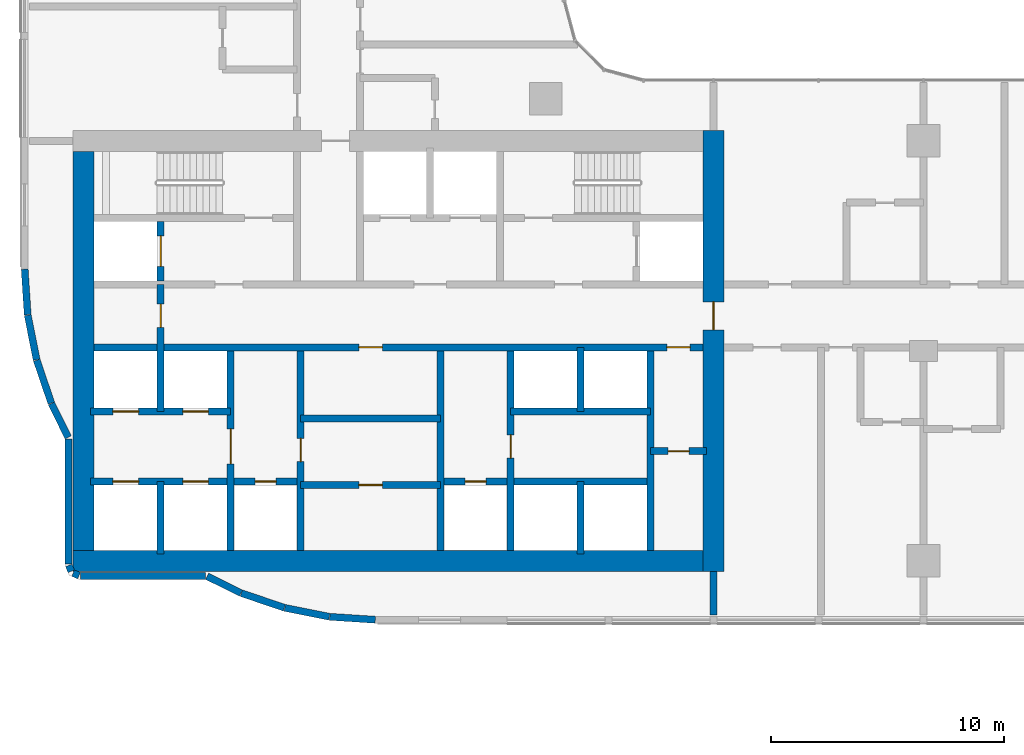
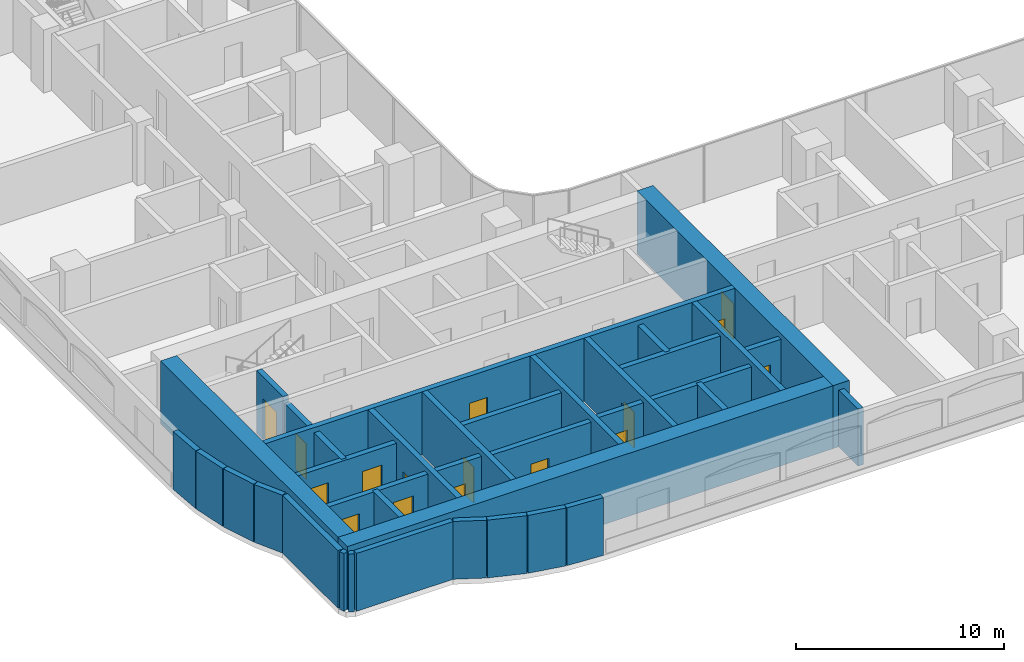
# One storey, part 17 of 34: 34 walls, 16 doors, 16 openings.
"""IFC4 building model written with IfcOpenShell, lengths in metres."""

from ifc_helpers import new_model, si_unit, direction, frame, frame_2d, origin, place, context, subcontext, project, spatial, rectangle, extrude, material, layer, layer_set, type_object, element, fill, save


model = new_model("IFC4")

# Units and contexts
model_context = context("Model", 3, precision=1e-05, world=origin(), true_north=direction((0.0, 1.0)))
body_context = subcontext(model_context, "Body", "Model", "MODEL_VIEW")
ifc_project = project(units=[si_unit("LENGTHUNIT", "METRE"), si_unit("AREAUNIT", "SQUARE_METRE"), si_unit("VOLUMEUNIT", "CUBIC_METRE"), si_unit("PLANEANGLEUNIT", "RADIAN"), si_unit("MASSUNIT", "GRAM", prefix="KILO")], contexts=[model_context])

# Site, building, storey
site_placement = place(None, origin())
site = spatial("IfcSite", under=ifc_project, at=site_placement, CompositionType="ELEMENT")
building_placement = place(site_placement, origin())
building = spatial("IfcBuilding", under=site, at=building_placement, Name="Ogive Portal Towers", CompositionType="ELEMENT")
storey_placement = place(building_placement, frame((0.0, 0.0, 66.800048828125)))
storey = spatial("IfcBuildingStorey", under=building, at=storey_placement, Name="L15", CompositionType="ELEMENT", Elevation=66.800048828125)

# Wall, opening, door
ifc_material_1 = material(Name="Concrete C60/75", Category="concrete")
ifc_layer_1 = layer(ifc_material_1, 0.300048828125)
ifc_layer_set_1 = layer_set([ifc_layer_1], Name="CORE WALL 300 C60")
wall_type_1 = type_object("IfcWallType", Name="CORE WALL 300 C60", PredefinedType="SHEAR", material=ifc_layer_set_1)
wall_1_placement = place(storey_placement, frame((37.800048828125, 21.949951171875, 0.0), z_axis=(0.0, 0.0, 1.0), x_axis=(0.0, 1.0, 0.0)))
wall_1 = element("IfcWall", 1, at=wall_1_placement, inside=storey, type_object=wall_type_1, Name="Core wall X1 L15", PredefinedType="SHEAR", context=body_context, shape_type="SweptSolid", body=[
    extrude(rectangle(XDim=8.550048828125, YDim=0.300048828125, at=frame_2d((4.27490234375, 0.0))), origin(), (0.0, 0.0, 1.0), 3.699951171875),
])
opening_1_placement = place(wall_1_placement, frame((3.699951171875, 0.0, 0.0)))
opening_1 = element("IfcOpeningElement", 2, at=opening_1_placement, cuts=wall_1, Name="Opening D04-001", PredefinedType="OPENING", context=body_context, shape_type="SweptSolid", body=[
    extrude(rectangle(XDim=1.5, YDim=2.10009765625, at=frame_2d((0.75, 1.050048828125))), frame((0.0, 0.16015625, 0.0), z_axis=(0.0, -1.0, 0.0), x_axis=(1.0, 0.0, 0.0)), (0.0, 0.0, 1.0), 0.320068359375),
])
ifc_material_2 = material(Name="Steel fire door", Category="steel")
door_type_1 = type_object("IfcDoorType", Name="DT-SWING-1500x2100-FD90S", OperationType="SINGLE_SWING_LEFT", PredefinedType="DOOR", material=ifc_material_2)
door_1_placement = place(opening_1_placement, origin())
door_1 = element("IfcDoor", 3, at=door_1_placement, inside=storey, type_object=door_type_1, Name="Door D04-001", OperationType="SINGLE_SWING_LEFT", OverallHeight=2.10009765625, OverallWidth=1.5, PredefinedType="DOOR", context=body_context, shape_type="SweptSolid", body=[
    extrude(rectangle(XDim=1.5, YDim=2.10009765625, at=frame_2d((0.75, 1.050048828125))), frame((0.0, 0.02490234375, 0.0), z_axis=(0.0, -1.0, 0.0), x_axis=(1.0, 0.0, 0.0)), (0.0, 0.0, 1.0), 0.050048828125),
])
fill(opening_1, door_1)

wall_2_placement = place(storey_placement, frame((40.800048828125, 21.949951171875, 0.0), z_axis=(0.0, 0.0, 1.0), x_axis=(0.0, 1.0, 0.0)))
wall_2 = element("IfcWall", 4, at=wall_2_placement, inside=storey, type_object=wall_type_1, Name="Core wall X2 L15", PredefinedType="SHEAR", context=body_context, shape_type="SweptSolid", body=[
    extrude(rectangle(XDim=8.550048828125, YDim=0.300048828125, at=frame_2d((4.27490234375, 0.0))), origin(), (0.0, 0.0, 1.0), 3.699951171875),
])
opening_2_placement = place(wall_2_placement, frame((3.800048828125, 0.0, 0.0)))
opening_2 = element("IfcOpeningElement", 5, at=opening_2_placement, cuts=wall_2, Name="Opening D04-022", PredefinedType="OPENING", context=body_context, shape_type="SweptSolid", body=[
    extrude(rectangle(XDim=1.0, YDim=2.10009765625, at=frame_2d((0.5, 1.050048828125))), frame((0.0, 0.16015625, 0.0), z_axis=(0.0, -1.0, 0.0), x_axis=(1.0, 0.0, 0.0)), (0.0, 0.0, 1.0), 0.320068359375),
])
door_type_2 = type_object("IfcDoorType", Name="DT-SWING-1000x2100-FD90S", OperationType="SINGLE_SWING_LEFT", PredefinedType="DOOR", material=ifc_material_2)
door_2_placement = place(opening_2_placement, origin())
door_2 = element("IfcDoor", 6, at=door_2_placement, inside=storey, type_object=door_type_2, Name="Door D04-022", OperationType="SINGLE_SWING_RIGHT", OverallHeight=2.10009765625, OverallWidth=1.0, PredefinedType="DOOR", context=body_context, shape_type="SweptSolid", body=[
    extrude(rectangle(XDim=1.0, YDim=2.10009765625, at=frame_2d((0.5, 1.050048828125))), frame((0.0, 0.02490234375, 0.0), z_axis=(0.0, -1.0, 0.0), x_axis=(1.0, 0.0, 0.0)), (0.0, 0.0, 1.0), 0.050048828125),
])
fill(opening_2, door_2)

# Wall
wall_3_placement = place(storey_placement, frame((46.800048828125, 21.949951171875, 0.0), z_axis=(0.0, 0.0, 1.0), x_axis=(0.0, 1.0, 0.0)))
element("IfcWall", 7, at=wall_3_placement, inside=storey, type_object=wall_type_1, Name="Core wall X3 L15", PredefinedType="SHEAR", context=body_context, shape_type="SweptSolid", body=[
    extrude(rectangle(XDim=8.550048828125, YDim=0.300048828125, at=frame_2d((4.27490234375, 0.0))), origin(), (0.0, 0.0, 1.0), 3.699951171875),
])

# Wall, opening, door
wall_4_placement = place(storey_placement, frame((49.800048828125, 21.949951171875, 0.0), z_axis=(0.0, 0.0, 1.0), x_axis=(0.0, 1.0, 0.0)))
wall_4 = element("IfcWall", 8, at=wall_4_placement, inside=storey, type_object=wall_type_1, Name="Core wall X4 L15", PredefinedType="SHEAR", context=body_context, shape_type="SweptSolid", body=[
    extrude(rectangle(XDim=8.550048828125, YDim=0.300048828125, at=frame_2d((4.27490234375, 0.0))), origin(), (0.0, 0.0, 1.0), 3.699951171875),
])
opening_3_placement = place(wall_4_placement, frame((3.949951171875, 0.0, 0.0)))
opening_3 = element("IfcOpeningElement", 9, at=opening_3_placement, cuts=wall_4, Name="Opening D04-024", PredefinedType="OPENING", context=body_context, shape_type="SweptSolid", body=[
    extrude(rectangle(XDim=1.0, YDim=2.10009765625, at=frame_2d((0.5, 1.050048828125))), frame((0.0, 0.16015625, 0.0), z_axis=(0.0, -1.0, 0.0), x_axis=(1.0, 0.0, 0.0)), (0.0, 0.0, 1.0), 0.320068359375),
])
door_3_placement = place(opening_3_placement, origin())
door_3 = element("IfcDoor", 10, at=door_3_placement, inside=storey, type_object=door_type_2, Name="Door D04-024", OperationType="SINGLE_SWING_RIGHT", OverallHeight=2.10009765625, OverallWidth=1.0, PredefinedType="DOOR", context=body_context, shape_type="SweptSolid", body=[
    extrude(rectangle(XDim=1.0, YDim=2.10009765625, at=frame_2d((0.5, 1.050048828125))), frame((0.0, 0.02490234375, 0.0), z_axis=(0.0, -1.0, 0.0), x_axis=(1.0, 0.0, 0.0)), (0.0, 0.0, 1.0), 0.050048828125),
])
fill(opening_3, door_3)

# Wall
wall_5_placement = place(storey_placement, frame((55.800048828125, 21.949951171875, 0.0), z_axis=(0.0, 0.0, 1.0), x_axis=(0.0, 1.0, 0.0)))
element("IfcWall", 11, at=wall_5_placement, inside=storey, type_object=wall_type_1, Name="Core wall X5 L15", PredefinedType="SHEAR", context=body_context, shape_type="SweptSolid", body=[
    extrude(rectangle(XDim=8.550048828125, YDim=0.300048828125, at=frame_2d((4.27490234375, 0.0))), origin(), (0.0, 0.0, 1.0), 3.699951171875),
])

# Wall, openings, doors
wall_6_placement = place(storey_placement, frame((31.949951171875, 30.64990234375, 0.0), z_axis=(0.0, 0.0, 1.0), x_axis=(1.0, 0.0, 0.0)))
wall_6 = element("IfcWall", 12, at=wall_6_placement, inside=storey, type_object=wall_type_1, Name="Core wall Y1 L15", PredefinedType="SHEAR", context=body_context, shape_type="SweptSolid", body=[
    extrude(rectangle(XDim=26.10009765625, YDim=0.300048828125, at=frame_2d((13.050048828125, 0.0))), origin(), (0.0, 0.0, 1.0), 3.699951171875),
])
opening_4_placement = place(wall_6_placement, frame((24.550048828125, 0.0, 0.0)))
opening_4 = element("IfcOpeningElement", 13, at=opening_4_placement, cuts=wall_6, Name="Opening D04-009", PredefinedType="OPENING", context=body_context, shape_type="SweptSolid", body=[
    extrude(rectangle(XDim=1.0, YDim=2.10009765625, at=frame_2d((0.5, 1.050048828125))), frame((0.0, 0.16015625, 0.0), z_axis=(0.0, -1.0, 0.0), x_axis=(1.0, 0.0, 0.0)), (0.0, 0.0, 1.0), 0.320068359375),
])
opening_5_placement = place(wall_6_placement, frame((11.35009765625, 0.0, 0.0)))
opening_5 = element("IfcOpeningElement", 14, at=opening_5_placement, cuts=wall_6, Name="Opening D04-021", PredefinedType="OPENING", context=body_context, shape_type="SweptSolid", body=[
    extrude(rectangle(XDim=1.0, YDim=2.10009765625, at=frame_2d((0.5, 1.050048828125))), frame((0.0, 0.16015625, 0.0), z_axis=(0.0, -1.0, 0.0), x_axis=(1.0, 0.0, 0.0)), (0.0, 0.0, 1.0), 0.320068359375),
])
door_4_placement = place(opening_4_placement, origin())
door_4 = element("IfcDoor", 15, at=door_4_placement, inside=storey, type_object=door_type_2, Name="Door D04-009", OperationType="SINGLE_SWING_LEFT", OverallHeight=2.10009765625, OverallWidth=1.0, PredefinedType="DOOR", context=body_context, shape_type="SweptSolid", body=[
    extrude(rectangle(XDim=1.0, YDim=2.10009765625, at=frame_2d((0.5, 1.050048828125))), frame((0.0, 0.02490234375, 0.0), z_axis=(0.0, -1.0, 0.0), x_axis=(1.0, 0.0, 0.0)), (0.0, 0.0, 1.0), 0.050048828125),
])
fill(opening_4, door_4)
door_5_placement = place(opening_5_placement, origin())
door_5 = element("IfcDoor", 16, at=door_5_placement, inside=storey, type_object=door_type_2, Name="Door D04-021", OperationType="SINGLE_SWING_LEFT", OverallHeight=2.10009765625, OverallWidth=1.0, PredefinedType="DOOR", context=body_context, shape_type="SweptSolid", body=[
    extrude(rectangle(XDim=1.0, YDim=2.10009765625, at=frame_2d((0.5, 1.050048828125))), frame((0.0, 0.02490234375, 0.0), z_axis=(0.0, -1.0, 0.0), x_axis=(1.0, 0.0, 0.0)), (0.0, 0.0, 1.0), 0.050048828125),
])
fill(opening_5, door_5)

# Wall, opening, door
wall_7_placement = place(storey_placement, frame((34.800048828125, 33.5, 0.0), z_axis=(0.0, 0.0, 1.0), x_axis=(0.0, 1.0, 0.0)))
wall_7 = element("IfcWall", 17, at=wall_7_placement, inside=storey, type_object=wall_type_1, Name="Core wall X8 L15", PredefinedType="SHEAR", context=body_context, shape_type="SweptSolid", body=[
    extrude(rectangle(XDim=2.550048828125, YDim=0.300048828125, at=frame_2d((1.27490234375, 0.0))), origin(), (0.0, 0.0, 1.0), 3.699951171875),
])
opening_6_placement = place(wall_7_placement, frame((0.625, 0.0, 0.0)))
opening_6 = element("IfcOpeningElement", 18, at=opening_6_placement, cuts=wall_7, Name="Opening D04-019", PredefinedType="OPENING", context=body_context, shape_type="SweptSolid", body=[
    extrude(rectangle(XDim=1.300048828125, YDim=2.39990234375, at=frame_2d((0.64990234375, 1.199951171875))), frame((0.0, 0.16015625, 0.0), z_axis=(0.0, -1.0, 0.0), x_axis=(1.0, 0.0, 0.0)), (0.0, 0.0, 1.0), 0.320068359375),
])
ifc_material_3 = material(Name="Stainless steel", Category="steel")
door_type_3 = type_object("IfcDoorType", Name="DT-LD-1300x2400", OperationType="SLIDING_TO_LEFT", PredefinedType="DOOR", material=ifc_material_3)
door_6_placement = place(opening_6_placement, origin())
door_6 = element("IfcDoor", 19, at=door_6_placement, inside=storey, type_object=door_type_3, Name="Door D04-019", OperationType="SLIDING_TO_LEFT", OverallHeight=2.39990234375, OverallWidth=1.300048828125, PredefinedType="DOOR", context=body_context, shape_type="SweptSolid", body=[
    extrude(rectangle(XDim=1.300048828125, YDim=2.39990234375, at=frame_2d((0.64990234375, 1.199951171875))), frame((0.0, 0.02490234375, 0.0), z_axis=(0.0, -1.0, 0.0), x_axis=(1.0, 0.0, 0.0)), (0.0, 0.0, 1.0), 0.050048828125),
])
fill(opening_6, door_6)

# Walls
ifc_layer_2 = layer(ifc_material_1, 0.89990234375)
ifc_layer_set_2 = layer_set([ifc_layer_2], Name="CORE WALL 900 C60")
wall_type_2 = type_object("IfcWallType", Name="CORE WALL 900 C60", PredefinedType="SHEAR", material=ifc_layer_set_2)
wall_8_placement = place(storey_placement, frame((31.5, 21.949951171875, 0.0), z_axis=(0.0, 0.0, 1.0), x_axis=(0.0, 1.0, 0.0)))
element("IfcWall", 20, at=wall_8_placement, inside=storey, type_object=wall_type_2, Name="Core wall W L15", PredefinedType="SHEAR", context=body_context, shape_type="SweptSolid", body=[
    extrude(rectangle(XDim=17.10009765625, YDim=0.89990234375, at=frame_2d((8.550048828125, 0.0))), origin(), (0.0, 0.0, 1.0), 3.699951171875),
])
wall_9_placement = place(storey_placement, frame((31.050048828125, 21.5, 0.0), z_axis=(0.0, 0.0, 1.0), x_axis=(1.0, 0.0, 0.0)))
element("IfcWall", 21, at=wall_9_placement, inside=storey, type_object=wall_type_2, Name="Core wall S L15", PredefinedType="SHEAR", context=body_context, shape_type="SweptSolid", body=[
    extrude(rectangle(XDim=27.0, YDim=0.89990234375, at=frame_2d((13.5, 0.0))), origin(), (0.0, 0.0, 1.0), 3.699951171875),
])

# Wall, opening, door
wall_10_placement = place(storey_placement, frame((58.5, 21.050048828125, 0.0), z_axis=(0.0, 0.0, 1.0), x_axis=(0.0, 1.0, 0.0)))
wall_10 = element("IfcWall", 22, at=wall_10_placement, inside=storey, type_object=wall_type_2, Name="Core wall E L15", PredefinedType="SHEAR", context=body_context, shape_type="SweptSolid", body=[
    extrude(rectangle(XDim=18.89990234375, YDim=0.89990234375, at=frame_2d((9.449951171875, 0.0))), origin(), (0.0, 0.0, 1.0), 3.699951171875),
])
opening_7_placement = place(wall_10_placement, frame((10.35009765625, 0.0, 0.0)))
opening_7 = element("IfcOpeningElement", 23, at=opening_7_placement, cuts=wall_10, Name="Opening D04-011", PredefinedType="OPENING", context=body_context, shape_type="SweptSolid", body=[
    extrude(rectangle(XDim=1.199951171875, YDim=2.10009765625, at=frame_2d((0.60009765625, 1.050048828125))), frame((0.0, 0.4599609375, 0.0), z_axis=(0.0, -1.0, 0.0), x_axis=(1.0, 0.0, 0.0)), (0.0, 0.0, 1.0), 0.919921875),
])
door_type_4 = type_object("IfcDoorType", Name="DT-SWING-1200x2100-FD90S", OperationType="SINGLE_SWING_LEFT", PredefinedType="DOOR", material=ifc_material_2)
door_7_placement = place(opening_7_placement, origin())
door_7 = element("IfcDoor", 24, at=door_7_placement, inside=storey, type_object=door_type_4, Name="Door D04-011", OperationType="SINGLE_SWING_LEFT", OverallHeight=2.10009765625, OverallWidth=1.199951171875, PredefinedType="DOOR", context=body_context, shape_type="SweptSolid", body=[
    extrude(rectangle(XDim=1.199951171875, YDim=2.10009765625, at=frame_2d((0.60009765625, 1.050048828125))), frame((0.0, 0.02490234375, 0.0), z_axis=(0.0, -1.0, 0.0), x_axis=(1.0, 0.0, 0.0)), (0.0, 0.0, 1.0), 0.050048828125),
])
fill(opening_7, door_7)

# Walls
ifc_material_4 = material(Name="Limestone cladding on lightweight block wall", Category="masonry")
ifc_layer_3 = layer(ifc_material_4, 0.300048828125)
ifc_layer_set_3 = layer_set([ifc_layer_3], Name="EXTERNAL WALL 300 STONE")
wall_type_3 = type_object("IfcWallType", Name="EXTERNAL WALL 300 STONE", PredefinedType="SOLIDWALL", material=ifc_layer_set_3)
wall_11_placement = place(storey_placement, frame((30.85009765625, 26.7216796875, 0.0), z_axis=(0.0, 0.0, 1.0), x_axis=(0.0, -1.0, 0.0)))
element("IfcWall", 25, at=wall_11_placement, inside=storey, type_object=wall_type_3, Name="A:L15:f00:r0:wall", PredefinedType="SOLIDWALL", context=body_context, shape_type="SweptSolid", body=[
    extrude(rectangle(XDim=5.362060546875, YDim=0.300048828125, at=frame_2d((2.68115234375, 0.0))), origin(), (0.0, 0.0, 1.0), 3.39990234375),
])
for number, where, z_axis, x_axis, name in (
    (26, (30.861328125, 21.30224609375, 0.0), (0.0, 0.0, 1.0), (0.38297812142, -0.923757413239, 0.0), "A:L15:f01:r0:wall"),
    (27, (31.0478515625, 20.966796875, 0.0), (0.0, 0.0, 1.0), (0.923757413239, -0.38297812142, 0.0), "A:L15:f02:r0:wall"),
):
    element("IfcWall", number, at=place(storey_placement, frame(where, z_axis=z_axis, x_axis=x_axis)), inside=storey, type_object=wall_type_3, Name=name, PredefinedType="SOLIDWALL", context=body_context, shape_type="SweptSolid", body=[
        extrude(rectangle(XDim=0.275390625, YDim=0.300048828125, at=frame_2d((0.1376953125, 0.0))), origin(), (0.0, 0.0, 1.0), 3.39990234375),
    ])
wall_12_placement = place(storey_placement, frame((31.359619140625, 20.85009765625, 0.0), z_axis=(0.0, 0.0, 1.0), x_axis=(1.0, 0.0, 0.0)))
element("IfcWall", 28, at=wall_12_placement, inside=storey, type_object=wall_type_3, Name="A:L15:f03:r0:wall", PredefinedType="SOLIDWALL", context=body_context, shape_type="SweptSolid", body=[
    extrude(rectangle(XDim=5.362060546875, YDim=0.300048828125, at=frame_2d((2.68115234375, 0.0))), origin(), (0.0, 0.0, 1.0), 3.39990234375),
])
wall_13_placement = place(storey_placement, frame((36.7880859375, 20.83447265625, 0.0), z_axis=(0.0, 0.0, 1.0), x_axis=(0.896857753975, -0.442319080682, 0.0)))
element("IfcWall", 29, at=wall_13_placement, inside=storey, type_object=wall_type_3, Name="A:L15:f04:r0:wall", PredefinedType="SOLIDWALL", context=body_context, shape_type="SweptSolid", body=[
    extrude(rectangle(XDim=1.618408203125, YDim=0.300048828125, at=frame_2d((0.80908203125, 0.0))), origin(), (0.0, 0.0, 1.0), 3.39990234375),
])
for number, where, z_axis, x_axis, name in (
    (30, (38.2578125, 20.111328125, 0.0), (0.0, 0.0, 1.0), (0.946912572858, -0.32149118085, 0.0), "A:L15:f05:r0:wall"),
    (31, (40.11962890625, 19.48046875, 0.0), (0.0, 0.0, 1.0), (0.980792379364, -0.195054629737, 0.0), "A:L15:f06:r0:wall"),
):
    element("IfcWall", number, at=place(storey_placement, frame(where, z_axis=z_axis, x_axis=x_axis)), inside=storey, type_object=wall_type_3, Name=name, PredefinedType="SOLIDWALL", context=body_context, shape_type="SweptSolid", body=[
        extrude(rectangle(XDim=1.9462890625, YDim=0.300048828125, at=frame_2d((0.97314453125, 0.0))), origin(), (0.0, 0.0, 1.0), 3.39990234375),
    ])
for number, where, z_axis, x_axis, name in (
    (32, (42.048095703125, 19.09814453125, 0.0), (0.0, 0.0, 1.0), (0.997859086025, -0.065400645538, 0.0), "A:L15:f07:r0:wall"),
    (33, (28.97021484375, 34.0, 0.0), (0.0, 0.0, 1.0), (0.065400645538, -0.997859086025, 0.0), "A:L15:f28:r0:wall"),
):
    element("IfcWall", number, at=place(storey_placement, frame(where, z_axis=z_axis, x_axis=x_axis)), inside=storey, type_object=wall_type_3, Name=name, PredefinedType="SOLIDWALL", context=body_context, shape_type="SweptSolid", body=[
        extrude(rectangle(XDim=1.9560546875, YDim=0.300048828125, at=frame_2d((0.97802734375, 0.0))), origin(), (0.0, 0.0, 1.0), 3.39990234375),
    ])
for number, where, z_axis, x_axis, name in (
    (34, (29.100830078125, 32.028564453125, 0.0), (0.0, 0.0, 1.0), (0.195054629737, -0.980792379364, 0.0), "A:L15:f29:r0:wall"),
    (35, (29.485595703125, 30.100830078125, 0.0), (0.0, 0.0, 1.0), (0.32149118085, -0.946912572858, 0.0), "A:L15:f30:r0:wall"),
):
    element("IfcWall", number, at=place(storey_placement, frame(where, z_axis=z_axis, x_axis=x_axis)), inside=storey, type_object=wall_type_3, Name=name, PredefinedType="SOLIDWALL", context=body_context, shape_type="SweptSolid", body=[
        extrude(rectangle(XDim=1.9462890625, YDim=0.300048828125, at=frame_2d((0.97314453125, 0.0))), origin(), (0.0, 0.0, 1.0), 3.39990234375),
    ])
wall_14_placement = place(storey_placement, frame((30.11865234375, 28.239501953125, 0.0), z_axis=(0.0, 0.0, 1.0), x_axis=(0.442319080682, -0.896857753975, 0.0)))
element("IfcWall", 36, at=wall_14_placement, inside=storey, type_object=wall_type_3, Name="A:L15:f31:r0:wall", PredefinedType="SOLIDWALL", context=body_context, shape_type="SweptSolid", body=[
    extrude(rectangle(XDim=1.618408203125, YDim=0.300048828125, at=frame_2d((0.80908203125, 0.0))), origin(), (0.0, 0.0, 1.0), 3.39990234375),
])

# Wall, opening, door
ifc_material_5 = material(Name="Gypsum board partition on steel studs", Category="steel")
ifc_layer_4 = layer(ifc_material_5, 0.300048828125)
ifc_layer_set_4 = layer_set([ifc_layer_4], Name="WT-PART-300")
wall_type_4 = type_object("IfcWallType", Name="WT-PART-300", PredefinedType="PARTITIONING", material=ifc_layer_set_4)
wall_15_placement = place(storey_placement, frame((40.800048828125, 24.75, 0.0), z_axis=(0.0, 0.0, 1.0), x_axis=(1.0, 0.0, 0.0)))
wall_15 = element("IfcWall", 37, at=wall_15_placement, inside=storey, type_object=wall_type_4, Name="Wall pw:001:L15", PredefinedType="PARTITIONING", context=body_context, shape_type="SweptSolid", body=[
    extrude(rectangle(XDim=6.0, YDim=0.300048828125, at=frame_2d((3.0, 0.0))), origin(), (0.0, 0.0, 1.0), 3.39990234375),
])
opening_8_placement = place(wall_15_placement, frame((2.5, 0.0, 0.0)))
opening_8 = element("IfcOpeningElement", 38, at=opening_8_placement, cuts=wall_15, Name="Opening D04-023", PredefinedType="OPENING", context=body_context, shape_type="SweptSolid", body=[
    extrude(rectangle(XDim=1.0, YDim=2.10009765625, at=frame_2d((0.5, 1.050048828125))), frame((0.0, 0.16015625, 0.0), z_axis=(0.0, -1.0, 0.0), x_axis=(1.0, 0.0, 0.0)), (0.0, 0.0, 1.0), 0.320068359375),
])
door_type_5 = type_object("IfcDoorType", Name="DT-SWING-1000x2100-FD60S", OperationType="SINGLE_SWING_LEFT", PredefinedType="DOOR", material=ifc_material_2)
door_8_placement = place(opening_8_placement, origin())
door_8 = element("IfcDoor", 39, at=door_8_placement, inside=storey, type_object=door_type_5, Name="Door D04-023", OperationType="SINGLE_SWING_RIGHT", OverallHeight=2.10009765625, OverallWidth=1.0, PredefinedType="DOOR", context=body_context, shape_type="SweptSolid", body=[
    extrude(rectangle(XDim=1.0, YDim=2.10009765625, at=frame_2d((0.5, 1.050048828125))), frame((0.0, 0.02490234375, 0.0), z_axis=(0.0, -1.0, 0.0), x_axis=(1.0, 0.0, 0.0)), (0.0, 0.0, 1.0), 0.050048828125),
])
fill(opening_8, door_8)

wall_16_placement = place(storey_placement, frame((55.800048828125, 26.199951171875, 0.0), z_axis=(0.0, 0.0, 1.0), x_axis=(1.0, 0.0, 0.0)))
wall_16 = element("IfcWall", 40, at=wall_16_placement, inside=storey, type_object=wall_type_4, Name="Wall pw:004:L15", PredefinedType="PARTITIONING", context=body_context, shape_type="SweptSolid", body=[
    extrude(rectangle(XDim=2.39990234375, YDim=0.300048828125, at=frame_2d((1.199951171875, 0.0))), origin(), (0.0, 0.0, 1.0), 3.39990234375),
])
opening_9_placement = place(wall_16_placement, frame((0.75, 0.0, 0.0)))
opening_9 = element("IfcOpeningElement", 41, at=opening_9_placement, cuts=wall_16, Name="Opening D04-010", PredefinedType="OPENING", context=body_context, shape_type="SweptSolid", body=[
    extrude(rectangle(XDim=0.89990234375, YDim=2.10009765625, at=frame_2d((0.449951171875, 1.050048828125))), frame((0.0, 0.16015625, 0.0), z_axis=(0.0, -1.0, 0.0), x_axis=(1.0, 0.0, 0.0)), (0.0, 0.0, 1.0), 0.320068359375),
])
door_type_6 = type_object("IfcDoorType", Name="DT-SWING-900x2100-FD60S", OperationType="SINGLE_SWING_LEFT", PredefinedType="DOOR", material=ifc_material_2)
door_9_placement = place(opening_9_placement, origin())
door_9 = element("IfcDoor", 42, at=door_9_placement, inside=storey, type_object=door_type_6, Name="Door D04-010", OperationType="SINGLE_SWING_RIGHT", OverallHeight=2.10009765625, OverallWidth=0.89990234375, PredefinedType="DOOR", context=body_context, shape_type="SweptSolid", body=[
    extrude(rectangle(XDim=0.89990234375, YDim=2.10009765625, at=frame_2d((0.449951171875, 1.050048828125))), frame((0.0, 0.02490234375, 0.0), z_axis=(0.0, -1.0, 0.0), x_axis=(1.0, 0.0, 0.0)), (0.0, 0.0, 1.0), 0.050048828125),
])
fill(opening_9, door_9)

# Walls
wall_17_placement = place(storey_placement, frame((40.800048828125, 27.60009765625, 0.0), z_axis=(0.0, 0.0, 1.0), x_axis=(1.0, 0.0, 0.0)))
element("IfcWall", 43, at=wall_17_placement, inside=storey, type_object=wall_type_4, Name="Wall pw:005:L15", PredefinedType="PARTITIONING", context=body_context, shape_type="SweptSolid", body=[
    extrude(rectangle(XDim=6.0, YDim=0.300048828125, at=frame_2d((3.0, 0.0))), origin(), (0.0, 0.0, 1.0), 3.39990234375),
])
ifc_layer_5 = layer(ifc_material_5, 0.300048828125)
ifc_layer_set_5 = layer_set([ifc_layer_5], Name="WT-PART-300-EI 60")
wall_type_5 = type_object("IfcWallType", Name="WT-PART-300-EI 60", PredefinedType="PARTITIONING", material=ifc_layer_set_5)
wall_18_placement = place(storey_placement, frame((58.5, 19.169921875, 0.0), z_axis=(0.0, 0.0, 1.0), x_axis=(0.0, 1.0, 0.0)))
element("IfcWall", 44, at=wall_18_placement, inside=storey, type_object=wall_type_5, Name="Wall L15:w046", PredefinedType="PARTITIONING", context=body_context, shape_type="SweptSolid", body=[
    extrude(rectangle(XDim=1.860107421875, YDim=0.300048828125, at=frame_2d((0.93017578125, 0.0))), origin(), (0.0, 0.0, 1.0), 3.349853515625),
])

# Wall, openings, doors
ifc_material_6 = material(Name="Concrete C40/50", Category="concrete")
ifc_layer_6 = layer(ifc_material_6, 0.300048828125)
ifc_layer_set_6 = layer_set([ifc_layer_6], Name="WT-SHAFT-300")
wall_type_6 = type_object("IfcWallType", Name="WT-SHAFT-300", PredefinedType="SOLIDWALL", material=ifc_layer_set_6)
wall_19_placement = place(storey_placement, frame((31.800048828125, 24.89990234375, 0.0), z_axis=(0.0, 0.0, 1.0), x_axis=(1.0, 0.0, 0.0)))
wall_19 = element("IfcWall", 45, at=wall_19_placement, inside=storey, type_object=wall_type_6, Name="Wall pw:002:L15", PredefinedType="SOLIDWALL", context=body_context, shape_type="SweptSolid", body=[
    extrude(rectangle(XDim=9.0, YDim=0.300048828125, at=frame_2d((4.5, 0.0))), origin(), (0.0, 0.0, 1.0), 3.39990234375),
])
opening_10_placement = place(wall_19_placement, frame((7.050048828125, 0.0, 0.0)))
opening_10 = element("IfcOpeningElement", 46, at=opening_10_placement, cuts=wall_19, Name="Opening D04-007", PredefinedType="OPENING", context=body_context, shape_type="SweptSolid", body=[
    extrude(rectangle(XDim=0.89990234375, YDim=2.10009765625, at=frame_2d((0.449951171875, 1.050048828125))), frame((0.0, 0.16015625, 0.0), z_axis=(0.0, -1.0, 0.0), x_axis=(1.0, 0.0, 0.0)), (0.0, 0.0, 1.0), 0.320068359375),
])
opening_11_placement = place(wall_19_placement, frame((0.949951171875, 0.0, 0.0)))
opening_11 = element("IfcOpeningElement", 47, at=opening_11_placement, cuts=wall_19, Name="Opening D04-013", PredefinedType="OPENING", context=body_context, shape_type="SweptSolid", body=[
    extrude(rectangle(XDim=1.10009765625, YDim=2.39990234375, at=frame_2d((0.550048828125, 1.199951171875))), frame((0.0, 0.16015625, 0.0), z_axis=(0.0, -1.0, 0.0), x_axis=(1.0, 0.0, 0.0)), (0.0, 0.0, 1.0), 0.320068359375),
])
opening_12_placement = place(wall_19_placement, frame((3.949951171875, 0.0, 0.0)))
opening_12 = element("IfcOpeningElement", 48, at=opening_12_placement, cuts=wall_19, Name="Opening D04-014", PredefinedType="OPENING", context=body_context, shape_type="SweptSolid", body=[
    extrude(rectangle(XDim=1.10009765625, YDim=2.39990234375, at=frame_2d((0.550048828125, 1.199951171875))), frame((0.0, 0.16015625, 0.0), z_axis=(0.0, -1.0, 0.0), x_axis=(1.0, 0.0, 0.0)), (0.0, 0.0, 1.0), 0.320068359375),
])
door_type_7 = type_object("IfcDoorType", Name="DT-LD-1100x2400", OperationType="SLIDING_TO_LEFT", PredefinedType="DOOR", material=ifc_material_3)
door_10_placement = place(opening_11_placement, origin())
door_10 = element("IfcDoor", 49, at=door_10_placement, inside=storey, type_object=door_type_7, Name="Door D04-013", OperationType="SLIDING_TO_LEFT", OverallHeight=2.39990234375, OverallWidth=1.10009765625, PredefinedType="DOOR", context=body_context, shape_type="SweptSolid", body=[
    extrude(rectangle(XDim=1.10009765625, YDim=2.39990234375, at=frame_2d((0.550048828125, 1.199951171875))), frame((0.0, 0.02490234375, 0.0), z_axis=(0.0, -1.0, 0.0), x_axis=(1.0, 0.0, 0.0)), (0.0, 0.0, 1.0), 0.050048828125),
])
fill(opening_11, door_10)
door_11_placement = place(opening_12_placement, origin())
door_11 = element("IfcDoor", 50, at=door_11_placement, inside=storey, type_object=door_type_7, Name="Door D04-014", OperationType="SLIDING_TO_LEFT", OverallHeight=2.39990234375, OverallWidth=1.10009765625, PredefinedType="DOOR", context=body_context, shape_type="SweptSolid", body=[
    extrude(rectangle(XDim=1.10009765625, YDim=2.39990234375, at=frame_2d((0.550048828125, 1.199951171875))), frame((0.0, 0.02490234375, 0.0), z_axis=(0.0, -1.0, 0.0), x_axis=(1.0, 0.0, 0.0)), (0.0, 0.0, 1.0), 0.050048828125),
])
fill(opening_12, door_11)
door_type_8 = type_object("IfcDoorType", Name="DT-SWING-900x2100-FD90S", OperationType="SINGLE_SWING_LEFT", PredefinedType="DOOR", material=ifc_material_2)
door_12_placement = place(opening_10_placement, origin())
door_12 = element("IfcDoor", 51, at=door_12_placement, inside=storey, type_object=door_type_8, Name="Riser access door D04-007", OperationType="SINGLE_SWING_LEFT", OverallHeight=2.10009765625, OverallWidth=0.89990234375, PredefinedType="DOOR", context=body_context, shape_type="SweptSolid", body=[
    extrude(rectangle(XDim=0.89990234375, YDim=2.10009765625, at=frame_2d((0.449951171875, 1.050048828125))), frame((0.0, 0.02490234375, 0.0), z_axis=(0.0, -1.0, 0.0), x_axis=(1.0, 0.0, 0.0)), (0.0, 0.0, 1.0), 0.050048828125),
])
fill(opening_10, door_12)

# Wall, opening, door
wall_20_placement = place(storey_placement, frame((46.800048828125, 24.89990234375, 0.0), z_axis=(0.0, 0.0, 1.0), x_axis=(1.0, 0.0, 0.0)))
wall_20 = element("IfcWall", 52, at=wall_20_placement, inside=storey, type_object=wall_type_6, Name="Wall pw:003:L15", PredefinedType="SOLIDWALL", context=body_context, shape_type="SweptSolid", body=[
    extrude(rectangle(XDim=9.0, YDim=0.300048828125, at=frame_2d((4.5, 0.0))), origin(), (0.0, 0.0, 1.0), 3.39990234375),
])
opening_13_placement = place(wall_20_placement, frame((1.050048828125, 0.0, 0.0)))
opening_13 = element("IfcOpeningElement", 53, at=opening_13_placement, cuts=wall_20, Name="Opening D04-008", PredefinedType="OPENING", context=body_context, shape_type="SweptSolid", body=[
    extrude(rectangle(XDim=0.89990234375, YDim=2.10009765625, at=frame_2d((0.449951171875, 1.050048828125))), frame((0.0, 0.16015625, 0.0), z_axis=(0.0, -1.0, 0.0), x_axis=(1.0, 0.0, 0.0)), (0.0, 0.0, 1.0), 0.320068359375),
])
door_13_placement = place(opening_13_placement, origin())
door_13 = element("IfcDoor", 54, at=door_13_placement, inside=storey, type_object=door_type_8, Name="Riser access door D04-008", OperationType="SINGLE_SWING_RIGHT", OverallHeight=2.10009765625, OverallWidth=0.89990234375, PredefinedType="DOOR", context=body_context, shape_type="SweptSolid", body=[
    extrude(rectangle(XDim=0.89990234375, YDim=2.10009765625, at=frame_2d((0.449951171875, 1.050048828125))), frame((0.0, 0.02490234375, 0.0), z_axis=(0.0, -1.0, 0.0), x_axis=(1.0, 0.0, 0.0)), (0.0, 0.0, 1.0), 0.050048828125),
])
fill(opening_13, door_13)

# Wall, openings, doors
wall_21_placement = place(storey_placement, frame((31.800048828125, 27.89990234375, 0.0), z_axis=(0.0, 0.0, 1.0), x_axis=(1.0, 0.0, 0.0)))
wall_21 = element("IfcWall", 55, at=wall_21_placement, inside=storey, type_object=wall_type_6, Name="Wall pw:006:L15", PredefinedType="SOLIDWALL", context=body_context, shape_type="SweptSolid", body=[
    extrude(rectangle(XDim=6.0, YDim=0.300048828125, at=frame_2d((3.0, 0.0))), origin(), (0.0, 0.0, 1.0), 3.39990234375),
])
opening_14_placement = place(wall_21_placement, frame((0.949951171875, 0.0, 0.0)))
opening_14 = element("IfcOpeningElement", 56, at=opening_14_placement, cuts=wall_21, Name="Opening D04-015", PredefinedType="OPENING", context=body_context, shape_type="SweptSolid", body=[
    extrude(rectangle(XDim=1.10009765625, YDim=2.39990234375, at=frame_2d((0.550048828125, 1.199951171875))), frame((0.0, 0.16015625, 0.0), z_axis=(0.0, -1.0, 0.0), x_axis=(1.0, 0.0, 0.0)), (0.0, 0.0, 1.0), 0.320068359375),
])
opening_15_placement = place(wall_21_placement, frame((3.949951171875, 0.0, 0.0)))
opening_15 = element("IfcOpeningElement", 57, at=opening_15_placement, cuts=wall_21, Name="Opening D04-016", PredefinedType="OPENING", context=body_context, shape_type="SweptSolid", body=[
    extrude(rectangle(XDim=1.10009765625, YDim=2.39990234375, at=frame_2d((0.550048828125, 1.199951171875))), frame((0.0, 0.16015625, 0.0), z_axis=(0.0, -1.0, 0.0), x_axis=(1.0, 0.0, 0.0)), (0.0, 0.0, 1.0), 0.320068359375),
])
door_14_placement = place(opening_14_placement, origin())
door_14 = element("IfcDoor", 58, at=door_14_placement, inside=storey, type_object=door_type_7, Name="Door D04-015", OperationType="SLIDING_TO_LEFT", OverallHeight=2.39990234375, OverallWidth=1.10009765625, PredefinedType="DOOR", context=body_context, shape_type="SweptSolid", body=[
    extrude(rectangle(XDim=1.10009765625, YDim=2.39990234375, at=frame_2d((0.550048828125, 1.199951171875))), frame((0.0, 0.02490234375, 0.0), z_axis=(0.0, -1.0, 0.0), x_axis=(1.0, 0.0, 0.0)), (0.0, 0.0, 1.0), 0.050048828125),
])
fill(opening_14, door_14)
door_15_placement = place(opening_15_placement, origin())
door_15 = element("IfcDoor", 59, at=door_15_placement, inside=storey, type_object=door_type_7, Name="Door D04-016", OperationType="SLIDING_TO_LEFT", OverallHeight=2.39990234375, OverallWidth=1.10009765625, PredefinedType="DOOR", context=body_context, shape_type="SweptSolid", body=[
    extrude(rectangle(XDim=1.10009765625, YDim=2.39990234375, at=frame_2d((0.550048828125, 1.199951171875))), frame((0.0, 0.02490234375, 0.0), z_axis=(0.0, -1.0, 0.0), x_axis=(1.0, 0.0, 0.0)), (0.0, 0.0, 1.0), 0.050048828125),
])
fill(opening_15, door_15)

# Walls
wall_22_placement = place(storey_placement, frame((49.800048828125, 27.89990234375, 0.0), z_axis=(0.0, 0.0, 1.0), x_axis=(1.0, 0.0, 0.0)))
element("IfcWall", 60, at=wall_22_placement, inside=storey, type_object=wall_type_6, Name="Wall pw:007:L15", PredefinedType="SOLIDWALL", context=body_context, shape_type="SweptSolid", body=[
    extrude(rectangle(XDim=6.0, YDim=0.300048828125, at=frame_2d((3.0, 0.0))), origin(), (0.0, 0.0, 1.0), 3.39990234375),
])
wall_23_placement = place(storey_placement, frame((34.800048828125, 21.800048828125, 0.0), z_axis=(0.0, 0.0, 1.0), x_axis=(0.0, 1.0, 0.0)))
element("IfcWall", 61, at=wall_23_placement, inside=storey, type_object=wall_type_6, Name="Wall pw:008:L15", PredefinedType="SOLIDWALL", context=body_context, shape_type="SweptSolid", body=[
    extrude(rectangle(XDim=3.099853515625, YDim=0.300048828125, at=frame_2d((1.5498046875, 0.0))), origin(), (0.0, 0.0, 1.0), 3.39990234375),
])

# Wall, opening, door
wall_24_placement = place(storey_placement, frame((34.800048828125, 27.89990234375, 0.0), z_axis=(0.0, 0.0, 1.0), x_axis=(0.0, 1.0, 0.0)))
wall_24 = element("IfcWall", 62, at=wall_24_placement, inside=storey, type_object=wall_type_6, Name="Wall pw:009:L15", PredefinedType="SOLIDWALL", context=body_context, shape_type="SweptSolid", body=[
    extrude(rectangle(XDim=5.4501953125, YDim=0.300048828125, at=frame_2d((2.72509765625, 0.0))), origin(), (0.0, 0.0, 1.0), 3.39990234375),
])
opening_16_placement = place(wall_24_placement, frame((3.60009765625, 0.0, 0.0)))
opening_16 = element("IfcOpeningElement", 63, at=opening_16_placement, cuts=wall_24, Name="Opening D04-025", PredefinedType="OPENING", context=body_context, shape_type="SweptSolid", body=[
    extrude(rectangle(XDim=1.0, YDim=2.10009765625, at=frame_2d((0.5, 1.050048828125))), frame((0.0, 0.16015625, 0.0), z_axis=(0.0, -1.0, 0.0), x_axis=(1.0, 0.0, 0.0)), (0.0, 0.0, 1.0), 0.320068359375),
])
door_16_placement = place(opening_16_placement, origin())
door_16 = element("IfcDoor", 64, at=door_16_placement, inside=storey, type_object=door_type_2, Name="Door D04-025", OperationType="SINGLE_SWING_LEFT", OverallHeight=2.10009765625, OverallWidth=1.0, PredefinedType="DOOR", context=body_context, shape_type="SweptSolid", body=[
    extrude(rectangle(XDim=1.0, YDim=2.10009765625, at=frame_2d((0.5, 1.050048828125))), frame((0.0, 0.02490234375, 0.0), z_axis=(0.0, -1.0, 0.0), x_axis=(1.0, 0.0, 0.0)), (0.0, 0.0, 1.0), 0.050048828125),
])
fill(opening_16, door_16)

# Walls
wall_25_placement = place(storey_placement, frame((52.800048828125, 21.800048828125, 0.0), z_axis=(0.0, 0.0, 1.0), x_axis=(0.0, 1.0, 0.0)))
element("IfcWall", 65, at=wall_25_placement, inside=storey, type_object=wall_type_6, Name="Wall pw:011:L15", PredefinedType="SOLIDWALL", context=body_context, shape_type="SweptSolid", body=[
    extrude(rectangle(XDim=3.099853515625, YDim=0.300048828125, at=frame_2d((1.5498046875, 0.0))), origin(), (0.0, 0.0, 1.0), 3.39990234375),
])
wall_26_placement = place(storey_placement, frame((52.800048828125, 27.89990234375, 0.0), z_axis=(0.0, 0.0, 1.0), x_axis=(0.0, 1.0, 0.0)))
element("IfcWall", 66, at=wall_26_placement, inside=storey, type_object=wall_type_6, Name="Wall pw:012:L15", PredefinedType="SOLIDWALL", context=body_context, shape_type="SweptSolid", body=[
    extrude(rectangle(XDim=2.75, YDim=0.300048828125, at=frame_2d((1.375, 0.0))), origin(), (0.0, 0.0, 1.0), 3.39990234375),
])

save(model, "model.ifc")
